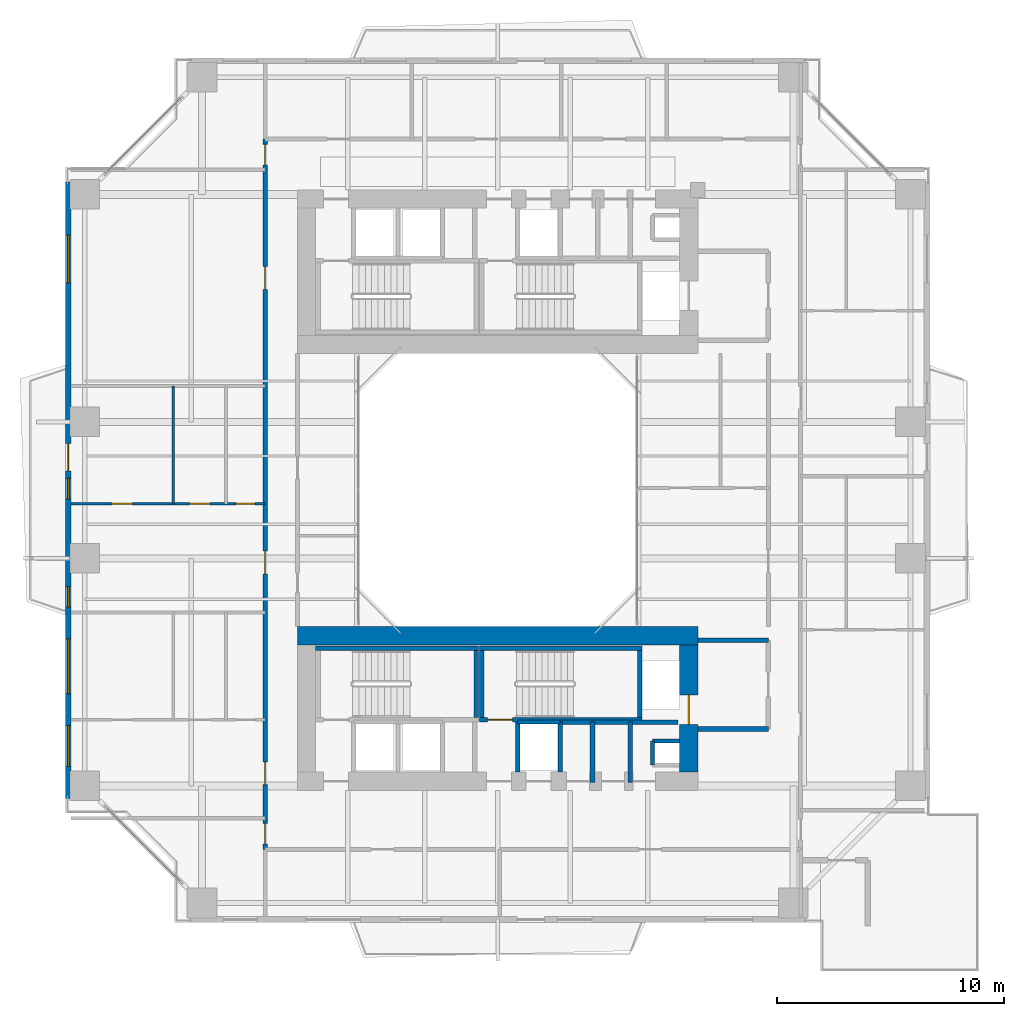
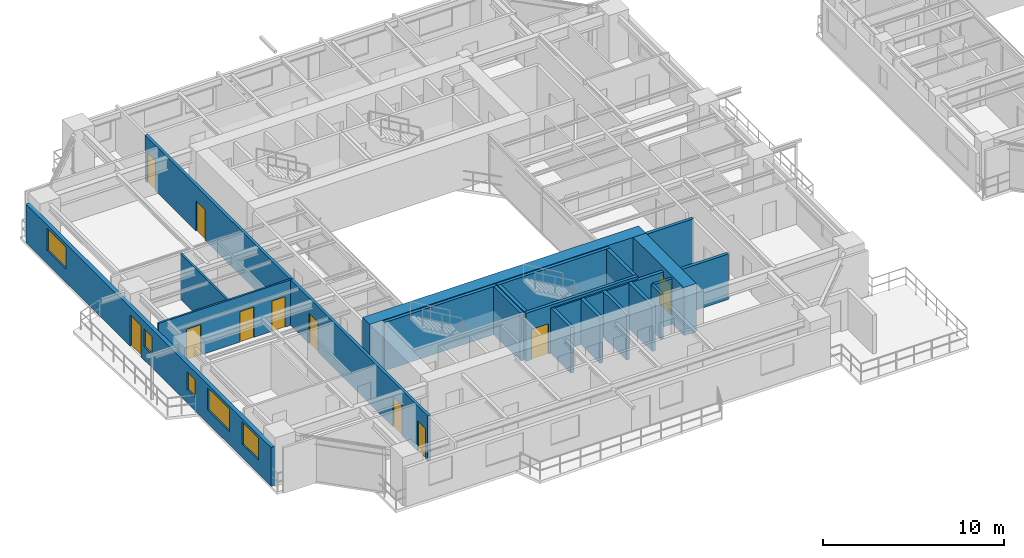
# One storey, part 14 of 23: 22 walls, 11 doors, 5 windows, 16 openings.
"""IFC4 building model written with IfcOpenShell, lengths in metres."""

from ifc_helpers import new_model, si_unit, direction, frame, frame_2d, origin, place, context, subcontext, project, spatial, rectangle, extrude, source, transform, mapped, material, layer, layer_set, type_object, element, fill, save


model = new_model("IFC4")

# Units and contexts
model_context = context("Model", 3, precision=1e-05, world=origin(), true_north=direction((0.0, 1.0)))
body_context = subcontext(model_context, "Body", "Model", "MODEL_VIEW")
ifc_project = project(units=[si_unit("LENGTHUNIT", "METRE"), si_unit("AREAUNIT", "SQUARE_METRE"), si_unit("VOLUMEUNIT", "CUBIC_METRE"), si_unit("PLANEANGLEUNIT", "RADIAN"), si_unit("MASSUNIT", "GRAM", prefix="KILO"), si_unit("THERMODYNAMICTEMPERATUREUNIT", "KELVIN"), si_unit("POWERUNIT", "WATT")], contexts=[model_context])

# Site, building, storey
site_placement = place(None, origin())
site = spatial("IfcSite", under=ifc_project, at=site_placement, CompositionType="ELEMENT")
building_placement = place(site_placement, origin())
building = spatial("IfcBuilding", under=site, at=building_placement, Name="Qiaomeng Ring Towers", CompositionType="ELEMENT")
storey_placement = place(building_placement, frame((0.0, 0.0, 73.0)))
storey = spatial("IfcBuildingStorey", under=building, at=storey_placement, Name="L20", CompositionType="ELEMENT", Elevation=73.0)

# Wall, openings, windows, door
ifc_material_1 = material(Name="Precast concrete C40", Category="concrete")
ifc_layer_1 = layer(ifc_material_1, 0.25, Name="Precast concrete C40")
ifc_layer_set_1 = layer_set([ifc_layer_1], Name="Precast concrete C40")
wall_type_1 = type_object("IfcWallType", Name="ARC-WL-EW1", PredefinedType="STANDARD", material=ifc_layer_set_1)
wall_1_placement = place(storey_placement, frame((0.125, 9.449951171875, 0.0), z_axis=(0.0, 0.0, 1.0), x_axis=(0.0, 1.0, 0.0)))
wall_1 = element("IfcWall", 1, at=wall_1_placement, inside=storey, type_object=wall_type_1, Name="L20 Tower 1 W Exterior Wall", PredefinedType="STANDARD", context=body_context, shape_type="SweptSolid", body=[
    extrude(rectangle(XDim=27.10009765625, YDim=0.25, at=frame_2d((13.550048828125, 0.0))), origin(), (0.0, 0.0, 1.0), 2.610107421875),
])
opening_1_placement = place(wall_1_placement, frame((14.39990234375, 0.0, 0.0)))
opening_1 = element("IfcOpeningElement", 2, at=opening_1_placement, cuts=wall_1, Name="Opening BD1", PredefinedType="OPENING", context=body_context, shape_type="SweptSolid", body=[
    extrude(rectangle(XDim=1.199951171875, YDim=2.10009765625, at=frame_2d((0.60009765625, 1.050048828125))), frame((0.0, 0.135009765625, 0.0), z_axis=(0.0, -1.0, 0.0), x_axis=(1.0, 0.0, 0.0)), (0.0, 0.0, 1.0), 0.27001953125),
])
opening_2_placement = place(wall_1_placement, frame((1.402587890625, 0.0, 0.89990234375)))
opening_2 = element("IfcOpeningElement", 3, at=opening_2_placement, cuts=wall_1, Name="Opening WN1", PredefinedType="OPENING", context=body_context, shape_type="SweptSolid", body=[
    extrude(rectangle(XDim=1.800048828125, YDim=1.5, at=frame_2d((0.89990234375, 0.75))), frame((0.0, 0.135009765625, 0.0), z_axis=(0.0, -1.0, 0.0), x_axis=(1.0, 0.0, 0.0)), (0.0, 0.0, 1.0), 0.27001953125),
])
opening_3_placement = place(wall_1_placement, frame((22.6630859375, 0.0, 0.89990234375)))
opening_3 = element("IfcOpeningElement", 4, at=opening_3_placement, cuts=wall_1, Name="Opening WN4", PredefinedType="OPENING", context=body_context, shape_type="SweptSolid", body=[
    extrude(rectangle(XDim=2.10009765625, YDim=1.47998046875, at=frame_2d((1.050048828125, 0.739990234375))), frame((0.0, 0.135009765625, 0.0), z_axis=(0.0, -1.0, 0.0), x_axis=(1.0, 0.0, 0.0)), (0.0, 0.0, 1.0), 0.27001953125),
])
opening_4_placement = place(wall_1_placement, frame((4.607421875, 0.0, 0.89990234375)))
opening_4 = element("IfcOpeningElement", 5, at=opening_4_placement, cuts=wall_1, Name="Opening WN6", PredefinedType="OPENING", context=body_context, shape_type="SweptSolid", body=[
    extrude(rectangle(XDim=2.39990234375, YDim=1.5, at=frame_2d((1.199951171875, 0.75))), frame((0.0, 0.135009765625, 0.0), z_axis=(0.0, -1.0, 0.0), x_axis=(1.0, 0.0, 0.0)), (0.0, 0.0, 1.0), 0.27001953125),
])
opening_5_placement = place(wall_1_placement, frame((13.169921875, 0.0, 0.89990234375)))
opening_5 = element("IfcOpeningElement", 6, at=opening_5_placement, cuts=wall_1, Name="Opening WN5", PredefinedType="OPENING", context=body_context, shape_type="SweptSolid", body=[
    extrude(rectangle(XDim=0.89990234375, YDim=1.199951171875, at=frame_2d((0.449951171875, 0.60009765625))), frame((0.0, 0.135009765625, 0.0), z_axis=(0.0, -1.0, 0.0), x_axis=(1.0, 0.0, 0.0)), (0.0, 0.0, 1.0), 0.27001953125),
])
opening_6_placement = place(wall_1_placement, frame((8.405029296875, 0.0, 0.89990234375)))
opening_6 = element("IfcOpeningElement", 7, at=opening_6_placement, cuts=wall_1, Name="Opening WN5", PredefinedType="OPENING", context=body_context, shape_type="SweptSolid", body=[
    extrude(rectangle(XDim=0.89990234375, YDim=1.199951171875, at=frame_2d((0.449951171875, 0.60009765625))), frame((0.0, 0.135009765625, 0.0), z_axis=(0.0, -1.0, 0.0), x_axis=(1.0, 0.0, 0.0)), (0.0, 0.0, 1.0), 0.27001953125),
])
ifc_material_2 = material(Name="Low-E dark-grey laminated double glazing", Category="glass")
window_type_1 = type_object("IfcWindowType", Name="ARC-WN-4", PartitioningType="TRIPLE_PANEL_VERTICAL", PredefinedType="WINDOW", material=ifc_material_2)
shared_shape_1 = source(origin(), body_context, "Body", "SweptSolid", [
    extrude(rectangle(XDim=2.10009765625, YDim=1.47998046875, at=frame_2d((1.050048828125, 0.739990234375))), frame((0.0, 0.030029296875, 0.0), z_axis=(0.0, -1.0, 0.0), x_axis=(1.0, 0.0, 0.0)), (0.0, 0.0, 1.0), 0.06005859375),
])
window_1_placement = place(opening_3_placement, origin())
window_1 = element("IfcWindow", 8, at=window_1_placement, inside=storey, type_object=window_type_1, Name="L20 Exterior Window WN4", OverallHeight=1.47998046875, OverallWidth=2.10009765625, PartitioningType="TRIPLE_PANEL_VERTICAL", PredefinedType="WINDOW", context=body_context, shape_type="MappedRepresentation", body=[
    mapped(shared_shape_1, transform((0.0, 0.0, 0.0), x_axis=(1.0, 0.0, 0.0), y_axis=(0.0, 1.0, 0.0), z_axis=(0.0, 0.0, 1.0), scale=1.0)),
])
fill(opening_3, window_1)
door_type_1 = type_object("IfcDoorType", Name="ARC-DR-BD1", OperationType="NOTDEFINED", PredefinedType="DOOR", material=ifc_material_2)
shared_shape_2 = source(origin(), body_context, "Body", "SweptSolid", [
    extrude(rectangle(XDim=1.199951171875, YDim=2.10009765625, at=frame_2d((0.60009765625, 1.050048828125))), frame((0.0, 0.02490234375, 0.0), z_axis=(0.0, -1.0, 0.0), x_axis=(1.0, 0.0, 0.0)), (0.0, 0.0, 1.0), 0.050048828125),
])
door_1_placement = place(opening_1_placement, frame((1.199951171875, 0.0, 0.0), z_axis=(0.0, 0.0, 1.0), x_axis=(-1.0, 0.0, 0.0)))
door_1 = element("IfcDoor", 9, at=door_1_placement, inside=storey, type_object=door_type_1, Name="L20 W Balcony Glazed Door", OperationType="SINGLE_SWING_LEFT", OverallHeight=2.10009765625, OverallWidth=1.199951171875, PredefinedType="DOOR", context=body_context, shape_type="MappedRepresentation", body=[
    mapped(shared_shape_2, transform((0.0, 0.0, 0.0), x_axis=(1.0, 0.0, 0.0), y_axis=(0.0, 1.0, 0.0), z_axis=(0.0, 0.0, 1.0), scale=1.0)),
])
fill(opening_1, door_1)
window_type_2 = type_object("IfcWindowType", Name="ARC-WN-6", PartitioningType="TRIPLE_PANEL_VERTICAL", PredefinedType="WINDOW", material=ifc_material_2)
shared_shape_3 = source(origin(), body_context, "Body", "SweptSolid", [
    extrude(rectangle(XDim=2.39990234375, YDim=1.5, at=frame_2d((1.199951171875, 0.75))), frame((0.0, 0.030029296875, 0.0), z_axis=(0.0, -1.0, 0.0), x_axis=(1.0, 0.0, 0.0)), (0.0, 0.0, 1.0), 0.06005859375),
])
window_2_placement = place(opening_4_placement, origin())
window_2 = element("IfcWindow", 10, at=window_2_placement, inside=storey, type_object=window_type_2, Name="L20 Exterior Window WN6", OverallHeight=1.5, OverallWidth=2.39990234375, PartitioningType="TRIPLE_PANEL_VERTICAL", PredefinedType="WINDOW", context=body_context, shape_type="MappedRepresentation", body=[
    mapped(shared_shape_3, transform((0.0, 0.0, 0.0), x_axis=(1.0, 0.0, 0.0), y_axis=(0.0, 1.0, 0.0), z_axis=(0.0, 0.0, 1.0), scale=1.0)),
])
fill(opening_4, window_2)
window_type_3 = type_object("IfcWindowType", Name="ARC-WN-1", PartitioningType="DOUBLE_PANEL_VERTICAL", PredefinedType="WINDOW", material=ifc_material_2)
shared_shape_4 = source(origin(), body_context, "Body", "SweptSolid", [
    extrude(rectangle(XDim=1.800048828125, YDim=1.5, at=frame_2d((0.89990234375, 0.75))), frame((0.0, 0.030029296875, 0.0), z_axis=(0.0, -1.0, 0.0), x_axis=(1.0, 0.0, 0.0)), (0.0, 0.0, 1.0), 0.06005859375),
])
window_3_placement = place(opening_2_placement, origin())
window_3 = element("IfcWindow", 11, at=window_3_placement, inside=storey, type_object=window_type_3, Name="L20 Exterior Window WN6", OverallHeight=1.5, OverallWidth=1.800048828125, PartitioningType="TRIPLE_PANEL_VERTICAL", PredefinedType="WINDOW", context=body_context, shape_type="MappedRepresentation", body=[
    mapped(shared_shape_4, transform((0.0, 0.0, 0.0), x_axis=(1.0, 0.0, 0.0), y_axis=(0.0, 1.0, 0.0), z_axis=(0.0, 0.0, 1.0), scale=1.0)),
])
fill(opening_2, window_3)
window_type_4 = type_object("IfcWindowType", Name="ARC-WN-5", PartitioningType="SINGLE_PANEL", PredefinedType="WINDOW", material=ifc_material_2)
shared_shape_5 = source(origin(), body_context, "Body", "SweptSolid", [
    extrude(rectangle(XDim=0.89990234375, YDim=1.199951171875, at=frame_2d((0.449951171875, 0.60009765625))), frame((0.0, 0.030029296875, 0.0), z_axis=(0.0, -1.0, 0.0), x_axis=(1.0, 0.0, 0.0)), (0.0, 0.0, 1.0), 0.06005859375),
])
window_4_placement = place(opening_5_placement, origin())
window_4 = element("IfcWindow", 12, at=window_4_placement, inside=storey, type_object=window_type_4, Name="L20 Exterior Window WN5", OverallHeight=1.199951171875, OverallWidth=0.89990234375, PartitioningType="SINGLE_PANEL", PredefinedType="WINDOW", context=body_context, shape_type="MappedRepresentation", body=[
    mapped(shared_shape_5, transform((0.0, 0.0, 0.0), x_axis=(1.0, 0.0, 0.0), y_axis=(0.0, 1.0, 0.0), z_axis=(0.0, 0.0, 1.0), scale=1.0)),
])
fill(opening_5, window_4)
window_5_placement = place(opening_6_placement, origin())
window_5 = element("IfcWindow", 13, at=window_5_placement, inside=storey, type_object=window_type_4, Name="L20 Exterior Window WN5", OverallHeight=1.199951171875, OverallWidth=0.89990234375, PartitioningType="SINGLE_PANEL", PredefinedType="WINDOW", context=body_context, shape_type="MappedRepresentation", body=[
    mapped(shared_shape_5, transform((0.0, 0.0, 0.0), x_axis=(1.0, 0.0, 0.0), y_axis=(0.0, 1.0, 0.0), z_axis=(0.0, 0.0, 1.0), scale=1.0)),
])
fill(opening_6, window_5)

# Walls
ifc_material_3 = material(Name="Autoclaved aerated concrete block", Category="concrete")
ifc_layer_2 = layer(ifc_material_3, 0.199951171875, Name="Autoclaved aerated concrete block")
ifc_layer_set_2 = layer_set([ifc_layer_2], Name="Autoclaved aerated concrete block")
wall_type_2 = type_object("IfcWallType", Name="ARC-WL-PW1", PredefinedType="PARTITIONING", material=ifc_layer_set_2)
for number, where, z_axis, x_axis, name in (
    (14, (27.800048828125, 16.39990234375, 0.0), (0.0, 0.0, 1.0), (1.0, 0.0, 0.0), "L20 Interior Wall PW1"),
    (15, (27.800048828125, 12.5, 0.0), (0.0, 0.0, 1.0), (1.0, 0.0, 0.0), "L20 Interior Wall PW1"),
):
    element("IfcWall", number, at=place(storey_placement, frame(where, z_axis=z_axis, x_axis=x_axis)), inside=storey, type_object=wall_type_2, Name=name, PredefinedType="PARTITIONING", context=body_context, shape_type="SweptSolid", body=[
        extrude(rectangle(XDim=3.099853515625, YDim=0.199951171875, at=frame_2d((1.5498046875, 0.0))), origin(), (0.0, 0.0, 1.0), 3.070068359375),
    ])
wall_2_placement = place(storey_placement, frame((19.8798828125, 10.60009765625, 0.0), z_axis=(0.0, 0.0, 1.0), x_axis=(0.0, 1.0, 0.0)))
element("IfcWall", 16, at=wall_2_placement, inside=storey, type_object=wall_type_2, Name="L20 Interior Wall PW1", PredefinedType="PARTITIONING", context=body_context, shape_type="SweptSolid", body=[
    extrude(rectangle(XDim=2.2099609375, YDim=0.199951171875, at=frame_2d((1.10498046875, 0.0))), origin(), (0.0, 0.0, 1.0), 3.070068359375),
])
wall_3_placement = place(storey_placement, frame((24.820068359375, 10.14990234375, 0.0), z_axis=(0.0, 0.0, 1.0), x_axis=(0.0, 1.0, 0.0)))
element("IfcWall", 17, at=wall_3_placement, inside=storey, type_object=wall_type_2, Name="L20 Interior Wall PW1", PredefinedType="PARTITIONING", context=body_context, shape_type="SweptSolid", body=[
    extrude(rectangle(XDim=2.650146484375, YDim=0.199951171875, at=frame_2d((1.3251953125, 0.0))), origin(), (0.0, 0.0, 1.0), 3.070068359375),
])
wall_4_placement = place(storey_placement, frame((21.75, 10.60009765625, 0.0), z_axis=(0.0, 0.0, 1.0), x_axis=(0.0, 1.0, 0.0)))
element("IfcWall", 18, at=wall_4_placement, inside=storey, type_object=wall_type_2, Name="L20 Interior Wall PW1", PredefinedType="PARTITIONING", context=body_context, shape_type="SweptSolid", body=[
    extrude(rectangle(XDim=2.199951171875, YDim=0.199951171875, at=frame_2d((1.10009765625, 0.0))), origin(), (0.0, 0.0, 1.0), 3.070068359375),
])
wall_5_placement = place(storey_placement, frame((23.169921875, 10.14990234375, 0.0), z_axis=(0.0, 0.0, 1.0), x_axis=(0.0, 1.0, 0.0)))
element("IfcWall", 19, at=wall_5_placement, inside=storey, type_object=wall_type_2, Name="L20 Interior Wall PW1", PredefinedType="PARTITIONING", context=body_context, shape_type="SweptSolid", body=[
    extrude(rectangle(XDim=2.650146484375, YDim=0.199951171875, at=frame_2d((1.3251953125, 0.0))), origin(), (0.0, 0.0, 1.0), 3.070068359375),
])
wall_6_placement = place(storey_placement, frame((21.75, 12.800048828125, 0.0), z_axis=(0.0, 0.0, 1.0), x_axis=(1.0, 0.0, 0.0)))
element("IfcWall", 20, at=wall_6_placement, inside=storey, type_object=wall_type_2, Name="L20 Interior Wall PW1", PredefinedType="PARTITIONING", context=body_context, shape_type="SweptSolid", body=[
    extrude(rectangle(XDim=5.169921875, YDim=0.199951171875, at=frame_2d((2.5849609375, 0.0))), origin(), (0.0, 0.0, 1.0), 3.070068359375),
])

# Wall, openings, doors
ifc_layer_3 = layer(ifc_material_3, 0.179931640625, Name="Autoclaved aerated concrete block")
ifc_layer_set_3 = layer_set([ifc_layer_3], Name="Autoclaved aerated concrete block")
wall_type_3 = type_object("IfcWallType", Name="ARC-WL-PW2", PredefinedType="PARTITIONING", material=ifc_layer_set_3)
wall_7_placement = place(storey_placement, frame((8.780029296875, 7.2099609375, 0.0), z_axis=(0.0, 0.0, 1.0), x_axis=(0.0, 1.0, 0.0)))
wall_7 = element("IfcWall", 21, at=wall_7_placement, inside=storey, type_object=wall_type_3, Name="L20 Interior Wall PW2", PredefinedType="PARTITIONING", context=body_context, shape_type="SweptSolid", body=[
    extrude(rectangle(XDim=31.22998046875, YDim=0.179931640625, at=frame_2d((15.614990234375, 0.0))), origin(), (0.0, 0.0, 1.0), 3.070068359375),
])
opening_7_placement = place(wall_7_placement, frame((30.090087890625, 0.0, 0.0)))
opening_7 = element("IfcOpeningElement", 22, at=opening_7_placement, cuts=wall_7, Name="Opening ID1", PredefinedType="OPENING", context=body_context, shape_type="SweptSolid", body=[
    extrude(rectangle(XDim=0.89990234375, YDim=2.050048828125, at=frame_2d((0.449951171875, 1.02490234375))), frame((0.0, 0.099853515625, 0.0), z_axis=(0.0, -1.0, 0.0), x_axis=(1.0, 0.0, 0.0)), (0.0, 0.0, 1.0), 0.199951171875),
])
opening_8_placement = place(wall_7_placement, frame((0.239990234375, 0.0, 0.0)))
opening_8 = element("IfcOpeningElement", 23, at=opening_8_placement, cuts=wall_7, Name="Opening ID1", PredefinedType="OPENING", context=body_context, shape_type="SweptSolid", body=[
    extrude(rectangle(XDim=0.89990234375, YDim=2.050048828125, at=frame_2d((0.449951171875, 1.02490234375))), frame((0.0, 0.099853515625, 0.0), z_axis=(0.0, -1.0, 0.0), x_axis=(1.0, 0.0, 0.0)), (0.0, 0.0, 1.0), 0.199951171875),
])
opening_9_placement = place(wall_7_placement, frame((2.840087890625, 0.0, 0.0)))
opening_9 = element("IfcOpeningElement", 24, at=opening_9_placement, cuts=wall_7, Name="Opening FD4", PredefinedType="OPENING", context=body_context, shape_type="SweptSolid", body=[
    extrude(rectangle(XDim=1.0, YDim=2.050048828125, at=frame_2d((0.5, 1.02490234375))), frame((0.0, 0.099853515625, 0.0), z_axis=(0.0, -1.0, 0.0), x_axis=(1.0, 0.0, 0.0)), (0.0, 0.0, 1.0), 0.199951171875),
])
opening_10_placement = place(wall_7_placement, frame((12.110107421875, 0.0, 0.0)))
opening_10 = element("IfcOpeningElement", 25, at=opening_10_placement, cuts=wall_7, Name="Opening FD4", PredefinedType="OPENING", context=body_context, shape_type="SweptSolid", body=[
    extrude(rectangle(XDim=1.0, YDim=2.050048828125, at=frame_2d((0.5, 1.02490234375))), frame((0.0, 0.099853515625, 0.0), z_axis=(0.0, -1.0, 0.0), x_axis=(1.0, 0.0, 0.0)), (0.0, 0.0, 1.0), 0.199951171875),
])
opening_11_placement = place(wall_7_placement, frame((24.6201171875, 0.0, 0.0)))
opening_11 = element("IfcOpeningElement", 26, at=opening_11_placement, cuts=wall_7, Name="Opening FD4", PredefinedType="OPENING", context=body_context, shape_type="SweptSolid", body=[
    extrude(rectangle(XDim=1.0, YDim=2.050048828125, at=frame_2d((0.5, 1.02490234375))), frame((0.0, 0.099853515625, 0.0), z_axis=(0.0, -1.0, 0.0), x_axis=(1.0, 0.0, 0.0)), (0.0, 0.0, 1.0), 0.199951171875),
])
ifc_material_4 = material(Name="Engineered fire-rated oak timber", Category="wood")
door_type_2 = type_object("IfcDoorType", Name="ARC-DR-FD4", OperationType="NOTDEFINED", PredefinedType="DOOR", material=ifc_material_4)
shared_shape_6 = source(origin(), body_context, "Body", "SweptSolid", [
    extrude(rectangle(XDim=1.0, YDim=2.050048828125, at=frame_2d((0.5, 1.02490234375))), frame((0.0, 0.02490234375, 0.0), z_axis=(0.0, -1.0, 0.0), x_axis=(1.0, 0.0, 0.0)), (0.0, 0.0, 1.0), 0.050048828125),
])
door_2_placement = place(opening_9_placement, origin())
door_2 = element("IfcDoor", 27, at=door_2_placement, inside=storey, type_object=door_type_2, Name="L20 Door FD4", OperationType="SINGLE_SWING_RIGHT", OverallHeight=2.050048828125, OverallWidth=1.0, PredefinedType="DOOR", context=body_context, shape_type="MappedRepresentation", body=[
    mapped(shared_shape_6, transform((0.0, 0.0, 0.0), x_axis=(1.0, 0.0, 0.0), y_axis=(0.0, 1.0, 0.0), z_axis=(0.0, 0.0, 1.0), scale=1.0)),
])
fill(opening_9, door_2)
door_3_placement = place(opening_10_placement, origin())
door_3 = element("IfcDoor", 28, at=door_3_placement, inside=storey, type_object=door_type_2, Name="L20 Door FD4", OperationType="SINGLE_SWING_RIGHT", OverallHeight=2.050048828125, OverallWidth=1.0, PredefinedType="DOOR", context=body_context, shape_type="MappedRepresentation", body=[
    mapped(shared_shape_6, transform((0.0, 0.0, 0.0), x_axis=(1.0, 0.0, 0.0), y_axis=(0.0, 1.0, 0.0), z_axis=(0.0, 0.0, 1.0), scale=1.0)),
])
fill(opening_10, door_3)
door_4_placement = place(opening_11_placement, origin())
door_4 = element("IfcDoor", 29, at=door_4_placement, inside=storey, type_object=door_type_2, Name="L20 Door FD4", OperationType="SINGLE_SWING_LEFT", OverallHeight=2.050048828125, OverallWidth=1.0, PredefinedType="DOOR", context=body_context, shape_type="MappedRepresentation", body=[
    mapped(shared_shape_6, transform((0.0, 0.0, 0.0), x_axis=(1.0, 0.0, 0.0), y_axis=(0.0, 1.0, 0.0), z_axis=(0.0, 0.0, 1.0), scale=1.0)),
])
fill(opening_11, door_4)
ifc_material_5 = material(Name="Engineered oak timber", Category="wood")
door_type_3 = type_object("IfcDoorType", Name="ARC-DR-ID1", OperationType="NOTDEFINED", PredefinedType="DOOR", material=ifc_material_5)
shared_shape_7 = source(origin(), body_context, "Body", "SweptSolid", [
    extrude(rectangle(XDim=0.89990234375, YDim=2.050048828125, at=frame_2d((0.449951171875, 1.02490234375))), frame((0.0, 0.02490234375, 0.0), z_axis=(0.0, -1.0, 0.0), x_axis=(1.0, 0.0, 0.0)), (0.0, 0.0, 1.0), 0.050048828125),
])
door_5_placement = place(opening_7_placement, origin())
door_5 = element("IfcDoor", 30, at=door_5_placement, inside=storey, type_object=door_type_3, Name="L20 Door ID1", OperationType="SINGLE_SWING_LEFT", OverallHeight=2.050048828125, OverallWidth=0.89990234375, PredefinedType="DOOR", context=body_context, shape_type="MappedRepresentation", body=[
    mapped(shared_shape_7, transform((0.0, 0.0, 0.0), x_axis=(1.0, 0.0, 0.0), y_axis=(0.0, 1.0, 0.0), z_axis=(0.0, 0.0, 1.0), scale=1.0)),
])
fill(opening_7, door_5)
door_6_placement = place(opening_8_placement, origin())
door_6 = element("IfcDoor", 31, at=door_6_placement, inside=storey, type_object=door_type_3, Name="L20 Door ID1", OperationType="SINGLE_SWING_RIGHT", OverallHeight=2.050048828125, OverallWidth=0.89990234375, PredefinedType="DOOR", context=body_context, shape_type="MappedRepresentation", body=[
    mapped(shared_shape_7, transform((0.0, 0.0, 0.0), x_axis=(1.0, 0.0, 0.0), y_axis=(0.0, 1.0, 0.0), z_axis=(0.0, 0.0, 1.0), scale=1.0)),
])
fill(opening_8, door_6)

ifc_material_6 = material(Name="Moisture-resistant gypsum steel-stud partition", Category="steel")
ifc_layer_4 = layer(ifc_material_6, 0.1201171875, Name="Moisture-resistant gypsum steel-stud partition")
ifc_layer_set_4 = layer_set([ifc_layer_4], Name="Moisture-resistant gypsum steel-stud partition")
wall_type_4 = type_object("IfcWallType", Name="ARC-WL-PW4", PredefinedType="PLUMBINGWALL", material=ifc_layer_set_4)
wall_8_placement = place(storey_placement, frame((0.25, 22.39990234375, 0.0), z_axis=(0.0, 0.0, 1.0), x_axis=(1.0, 0.0, 0.0)))
wall_8 = element("IfcWall", 32, at=wall_8_placement, inside=storey, type_object=wall_type_4, Name="L20 Interior Wall PW4", PredefinedType="PLUMBINGWALL", context=body_context, shape_type="SweptSolid", body=[
    extrude(rectangle(XDim=8.530029296875, YDim=0.1201171875, at=frame_2d((4.26513671875, 0.0))), origin(), (0.0, 0.0, 1.0), 3.070068359375),
])
opening_12_placement = place(wall_8_placement, frame((1.804931640625, 0.0, 0.0)))
opening_12 = element("IfcOpeningElement", 33, at=opening_12_placement, cuts=wall_8, Name="Opening ID1", PredefinedType="OPENING", context=body_context, shape_type="SweptSolid", body=[
    extrude(rectangle(XDim=0.89990234375, YDim=2.050048828125, at=frame_2d((0.449951171875, 1.02490234375))), frame((0.0, 0.070068359375, 0.0), z_axis=(0.0, -1.0, 0.0), x_axis=(1.0, 0.0, 0.0)), (0.0, 0.0, 1.0), 0.14013671875),
])
opening_13_placement = place(wall_8_placement, frame((5.199951171875, 0.0, 0.0)))
opening_13 = element("IfcOpeningElement", 34, at=opening_13_placement, cuts=wall_8, Name="Opening ID1", PredefinedType="OPENING", context=body_context, shape_type="SweptSolid", body=[
    extrude(rectangle(XDim=0.89990234375, YDim=2.050048828125, at=frame_2d((0.449951171875, 1.02490234375))), frame((0.0, 0.070068359375, 0.0), z_axis=(0.0, -1.0, 0.0), x_axis=(1.0, 0.0, 0.0)), (0.0, 0.0, 1.0), 0.14013671875),
])
opening_14_placement = place(wall_8_placement, frame((7.235107421875, 0.0, 0.0)))
opening_14 = element("IfcOpeningElement", 35, at=opening_14_placement, cuts=wall_8, Name="Opening ID2", PredefinedType="OPENING", context=body_context, shape_type="SweptSolid", body=[
    extrude(rectangle(XDim=0.85009765625, YDim=2.050048828125, at=frame_2d((0.425048828125, 1.02490234375))), frame((0.0, 0.070068359375, 0.0), z_axis=(0.0, -1.0, 0.0), x_axis=(1.0, 0.0, 0.0)), (0.0, 0.0, 1.0), 0.14013671875),
])
ifc_material_7 = material(Name="Moisture-resistant engineered timber", Category="wood")
door_type_4 = type_object("IfcDoorType", Name="ARC-DR-ID2", OperationType="NOTDEFINED", PredefinedType="DOOR", material=ifc_material_7)
shared_shape_8 = source(origin(), body_context, "Body", "SweptSolid", [
    extrude(rectangle(XDim=0.85009765625, YDim=2.050048828125, at=frame_2d((0.425048828125, 1.02490234375))), frame((0.0, 0.02490234375, 0.0), z_axis=(0.0, -1.0, 0.0), x_axis=(1.0, 0.0, 0.0)), (0.0, 0.0, 1.0), 0.050048828125),
])
door_7_placement = place(opening_14_placement, origin())
door_7 = element("IfcDoor", 36, at=door_7_placement, inside=storey, type_object=door_type_4, Name="L20 Door ID2", OperationType="SINGLE_SWING_LEFT", OverallHeight=2.050048828125, OverallWidth=0.85009765625, PredefinedType="DOOR", context=body_context, shape_type="MappedRepresentation", body=[
    mapped(shared_shape_8, transform((0.0, 0.0, 0.0), x_axis=(1.0, 0.0, 0.0), y_axis=(0.0, 1.0, 0.0), z_axis=(0.0, 0.0, 1.0), scale=1.0)),
])
fill(opening_14, door_7)
door_8_placement = place(opening_12_placement, origin())
door_8 = element("IfcDoor", 37, at=door_8_placement, inside=storey, type_object=door_type_3, Name="L20 Door ID1", OperationType="SINGLE_SWING_LEFT", OverallHeight=2.050048828125, OverallWidth=0.89990234375, PredefinedType="DOOR", context=body_context, shape_type="MappedRepresentation", body=[
    mapped(shared_shape_7, transform((0.0, 0.0, 0.0), x_axis=(1.0, 0.0, 0.0), y_axis=(0.0, 1.0, 0.0), z_axis=(0.0, 0.0, 1.0), scale=1.0)),
])
fill(opening_12, door_8)
door_9_placement = place(opening_13_placement, origin())
door_9 = element("IfcDoor", 38, at=door_9_placement, inside=storey, type_object=door_type_3, Name="L20 Door ID1", OperationType="SINGLE_SWING_RIGHT", OverallHeight=2.050048828125, OverallWidth=0.89990234375, PredefinedType="DOOR", context=body_context, shape_type="MappedRepresentation", body=[
    mapped(shared_shape_7, transform((0.0, 0.0, 0.0), x_axis=(1.0, 0.0, 0.0), y_axis=(0.0, 1.0, 0.0), z_axis=(0.0, 0.0, 1.0), scale=1.0)),
])
fill(opening_13, door_9)

# Walls
wall_9_placement = place(storey_placement, frame((4.739990234375, 22.39990234375, 0.0), z_axis=(0.0, 0.0, 1.0), x_axis=(0.0, 1.0, 0.0)))
element("IfcWall", 39, at=wall_9_placement, inside=storey, type_object=wall_type_4, Name="L20 Interior Wall PW4", PredefinedType="PLUMBINGWALL", context=body_context, shape_type="SweptSolid", body=[
    extrude(rectangle(XDim=5.18017578125, YDim=0.1201171875, at=frame_2d((2.590087890625, 0.0))), origin(), (0.0, 0.0, 1.0), 3.070068359375),
])
ifc_material_8 = material(Name="Concrete C40", Category="concrete")
ifc_layer_5 = layer(ifc_material_8, 0.199951171875, Name="Concrete C40")
ifc_layer_set_5 = layer_set([ifc_layer_5], Name="Concrete C40")
wall_type_5 = type_object("IfcWallType", Name="STR-WL-STSHAFT", PredefinedType="SHEAR", material=ifc_layer_set_5)
wall_10_placement = place(storey_placement, frame((25.800048828125, 10.919921875, 0.0), z_axis=(0.0, 0.0, 1.0), x_axis=(0.0, 1.0, 0.0)))
element("IfcWall", 40, at=wall_10_placement, inside=storey, type_object=wall_type_5, Name="L20 Riser RSR1 West Shaft Wall S", PredefinedType="SHEAR", context=body_context, shape_type="SweptSolid", body=[
    extrude(rectangle(XDim=1.06005859375, YDim=0.179931640625, at=frame_2d((0.530029296875, 0.0))), origin(), (0.0, 0.0, 1.0), 3.070068359375),
])
wall_11_placement = place(storey_placement, frame((25.800048828125, 11.97998046875, 0.0), z_axis=(0.0, 0.0, 1.0), x_axis=(1.0, 0.0, 0.0)))
element("IfcWall", 41, at=wall_11_placement, inside=storey, type_object=wall_type_5, Name="L20 Riser RSR1 North Shaft Wall S", PredefinedType="SHEAR", context=body_context, shape_type="SweptSolid", body=[
    extrude(rectangle(XDim=1.199951171875, YDim=0.179931640625, at=frame_2d((0.60009765625, 0.0))), origin(), (0.0, 0.0, 1.0), 3.070068359375),
])
wall_12_placement = place(storey_placement, frame((19.8798828125, 12.800048828125, 0.0), z_axis=(0.0, 0.0, 1.0), x_axis=(1.0, 0.0, 0.0)))
element("IfcWall", 42, at=wall_12_placement, inside=storey, type_object=wall_type_5, Name="L20 Lift LP2 Shaft Back Wall", PredefinedType="SHEAR", context=body_context, shape_type="SweptSolid", body=[
    extrude(rectangle(XDim=1.8701171875, YDim=0.179931640625, at=frame_2d((0.93505859375, 0.0))), origin(), (0.0, 0.0, 1.0), 3.070068359375),
])
wall_13_placement = place(storey_placement, frame((11.0, 16.050048828125, 0.0), z_axis=(0.0, 0.0, 1.0), x_axis=(1.0, 0.0, 0.0)))
element("IfcWall", 43, at=wall_13_placement, inside=storey, type_object=wall_type_5, Name="L20 Stair ST3 North Shaft Shear Wall", PredefinedType="SHEAR", context=body_context, shape_type="SweptSolid", body=[
    extrude(rectangle(XDim=7.14990234375, YDim=0.199951171875, at=frame_2d((3.574951171875, 0.0))), origin(), (0.0, 0.0, 1.0), 3.25),
])
wall_14_placement = place(storey_placement, frame((18.050048828125, 13.010009765625, 0.0), z_axis=(0.0, 0.0, 1.0), x_axis=(0.0, 1.0, 0.0)))
element("IfcWall", 44, at=wall_14_placement, inside=storey, type_object=wall_type_5, Name="L20 Stair ST3 East Shaft Shear Wall", PredefinedType="SHEAR", context=body_context, shape_type="SweptSolid", body=[
    extrude(rectangle(XDim=2.93994140625, YDim=0.199951171875, at=frame_2d((1.469970703125, 0.0))), origin(), (0.0, 0.0, 1.0), 3.25),
])

# Wall, opening, door
wall_15_placement = place(storey_placement, frame((18.199951171875, 12.909912109375, 0.0), z_axis=(0.0, 0.0, 1.0), x_axis=(1.0, 0.0, 0.0)))
wall_15 = element("IfcWall", 45, at=wall_15_placement, inside=storey, type_object=wall_type_5, Name="L20 Stair ST4 South Shaft Shear Wall", PredefinedType="SHEAR", context=body_context, shape_type="SweptSolid", body=[
    extrude(rectangle(XDim=7.150146484375, YDim=0.199951171875, at=frame_2d((3.5751953125, 0.0))), origin(), (0.0, 0.0, 1.0), 3.25),
])
opening_15_placement = place(wall_15_placement, frame((0.35009765625, 0.0, 0.0)))
opening_15 = element("IfcOpeningElement", 46, at=opening_15_placement, cuts=wall_15, Name="Opening FD3", PredefinedType="OPENING", context=body_context, shape_type="SweptSolid", body=[
    extrude(rectangle(XDim=1.10009765625, YDim=2.050048828125, at=frame_2d((0.550048828125, 1.02490234375))), frame((0.0, 0.10986328125, 0.0), z_axis=(0.0, -1.0, 0.0), x_axis=(1.0, 0.0, 0.0)), (0.0, 0.0, 1.0), 0.219970703125),
])
ifc_material_9 = material(Name="Galvanised steel", Category="steel")
door_type_5 = type_object("IfcDoorType", Name="ARC-DR-FD3", OperationType="NOTDEFINED", PredefinedType="DOOR", material=ifc_material_9)
shared_shape_9 = source(origin(), body_context, "Body", "SweptSolid", [
    extrude(rectangle(XDim=1.10009765625, YDim=2.050048828125, at=frame_2d((0.550048828125, 1.02490234375))), frame((0.0, 0.02490234375, 0.0), z_axis=(0.0, -1.0, 0.0), x_axis=(1.0, 0.0, 0.0)), (0.0, 0.0, 1.0), 0.050048828125),
])
door_10_placement = place(opening_15_placement, frame((1.10009765625, 0.0, 0.0), z_axis=(0.0, 0.0, 1.0), x_axis=(-1.0, 0.0, 0.0)))
door_10 = element("IfcDoor", 47, at=door_10_placement, inside=storey, type_object=door_type_5, Name="L20 Stair ST4 Exit Door", OperationType="SINGLE_SWING_RIGHT", OverallHeight=2.050048828125, OverallWidth=1.10009765625, PredefinedType="DOOR", context=body_context, shape_type="MappedRepresentation", body=[
    mapped(shared_shape_9, transform((0.0, 0.0, 0.0), x_axis=(1.0, 0.0, 0.0), y_axis=(0.0, 1.0, 0.0), z_axis=(0.0, 0.0, 1.0), scale=1.0)),
])
fill(opening_15, door_10)

# Walls
wall_16_placement = place(storey_placement, frame((18.199951171875, 16.050048828125, 0.0), z_axis=(0.0, 0.0, 1.0), x_axis=(1.0, 0.0, 0.0)))
element("IfcWall", 48, at=wall_16_placement, inside=storey, type_object=wall_type_5, Name="L20 Stair ST4 North Shaft Shear Wall", PredefinedType="SHEAR", context=body_context, shape_type="SweptSolid", body=[
    extrude(rectangle(XDim=7.150146484375, YDim=0.199951171875, at=frame_2d((3.5751953125, 0.0))), origin(), (0.0, 0.0, 1.0), 3.25),
])
for number, where, z_axis, x_axis, name in (
    (49, (18.300048828125, 13.010009765625, 0.0), (0.0, 0.0, 1.0), (0.0, 1.0, 0.0), "L20 Stair ST4 West Shaft Shear Wall"),
    (50, (25.25, 13.010009765625, 0.0), (0.0, 0.0, 1.0), (0.0, 1.0, 0.0), "L20 Stair ST4 East Shaft Shear Wall"),
):
    element("IfcWall", number, at=place(storey_placement, frame(where, z_axis=z_axis, x_axis=x_axis)), inside=storey, type_object=wall_type_5, Name=name, PredefinedType="SHEAR", context=body_context, shape_type="SweptSolid", body=[
        extrude(rectangle(XDim=2.93994140625, YDim=0.199951171875, at=frame_2d((1.469970703125, 0.0))), origin(), (0.0, 0.0, 1.0), 3.25),
    ])
ifc_material_10 = material(Name="Concrete C60", Category="concrete")
ifc_layer_6 = layer(ifc_material_10, 0.800048828125, Name="Concrete C60")
ifc_layer_set_6 = layer_set([ifc_layer_6], Name="Concrete C60")
wall_type_6 = type_object("IfcWallType", Name="STR-WL-SW1", PredefinedType="SHEAR", material=ifc_layer_set_6)
wall_17_placement = place(storey_placement, frame((10.199951171875, 16.60009765625, 0.0), z_axis=(0.0, 0.0, 1.0), x_axis=(1.0, 0.0, 0.0)))
element("IfcWall", 51, at=wall_17_placement, inside=storey, type_object=wall_type_6, Name="L20 T1SC north core shear wall", PredefinedType="SHEAR", context=body_context, shape_type="SweptSolid", body=[
    extrude(rectangle(XDim=17.60009765625, YDim=0.800048828125, at=frame_2d((8.800048828125, 0.0))), origin(), (0.0, 0.0, 1.0), 3.25),
])

# Wall, opening, door
wall_18_placement = place(storey_placement, frame((27.39990234375, 10.60009765625, 0.0), z_axis=(0.0, 0.0, 1.0), x_axis=(0.0, 1.0, 0.0)))
wall_18 = element("IfcWall", 52, at=wall_18_placement, inside=storey, type_object=wall_type_6, Name="L20 T1SC east core shear wall", PredefinedType="SHEAR", context=body_context, shape_type="SweptSolid", body=[
    extrude(rectangle(XDim=5.599853515625, YDim=0.800048828125, at=frame_2d((2.7998046875, 0.0))), origin(), (0.0, 0.0, 1.0), 3.25),
])
opening_16_placement = place(wall_18_placement, frame((2.10009765625, 0.0, 0.0)))
opening_16 = element("IfcOpeningElement", 53, at=opening_16_placement, cuts=wall_18, Name="Opening LD2", PredefinedType="OPENING", context=body_context, shape_type="SweptSolid", body=[
    extrude(rectangle(XDim=1.300048828125, YDim=2.050048828125, at=frame_2d((0.64990234375, 1.02490234375))), frame((0.0, 0.409912109375, 0.0), z_axis=(0.0, -1.0, 0.0), x_axis=(1.0, 0.0, 0.0)), (0.0, 0.0, 1.0), 0.820068359375),
])
ifc_material_11 = material(Name="Stainless steel 316", Category="steel")
door_type_6 = type_object("IfcDoorType", Name="ARC-DR-LD2", OperationType="NOTDEFINED", PredefinedType="DOOR", material=ifc_material_11)
shared_shape_10 = source(origin(), body_context, "Body", "SweptSolid", [
    extrude(rectangle(XDim=1.300048828125, YDim=2.050048828125, at=frame_2d((0.64990234375, 1.02490234375))), frame((0.0, 0.02490234375, 0.0), z_axis=(0.0, -1.0, 0.0), x_axis=(1.0, 0.0, 0.0)), (0.0, 0.0, 1.0), 0.050048828125),
])
door_11_placement = place(opening_16_placement, origin())
door_11 = element("IfcDoor", 54, at=door_11_placement, inside=storey, type_object=door_type_6, Name="L20 Firefighting Lift FL2 Landing Door", OperationType="SLIDING_TO_RIGHT", OverallHeight=2.050048828125, OverallWidth=1.300048828125, PredefinedType="DOOR", context=body_context, shape_type="MappedRepresentation", body=[
    mapped(shared_shape_10, transform((0.0, 0.0, 0.0), x_axis=(1.0, 0.0, 0.0), y_axis=(0.0, 1.0, 0.0), z_axis=(0.0, 0.0, 1.0), scale=1.0)),
])
fill(opening_16, door_11)

save(model, "model.ifc")
